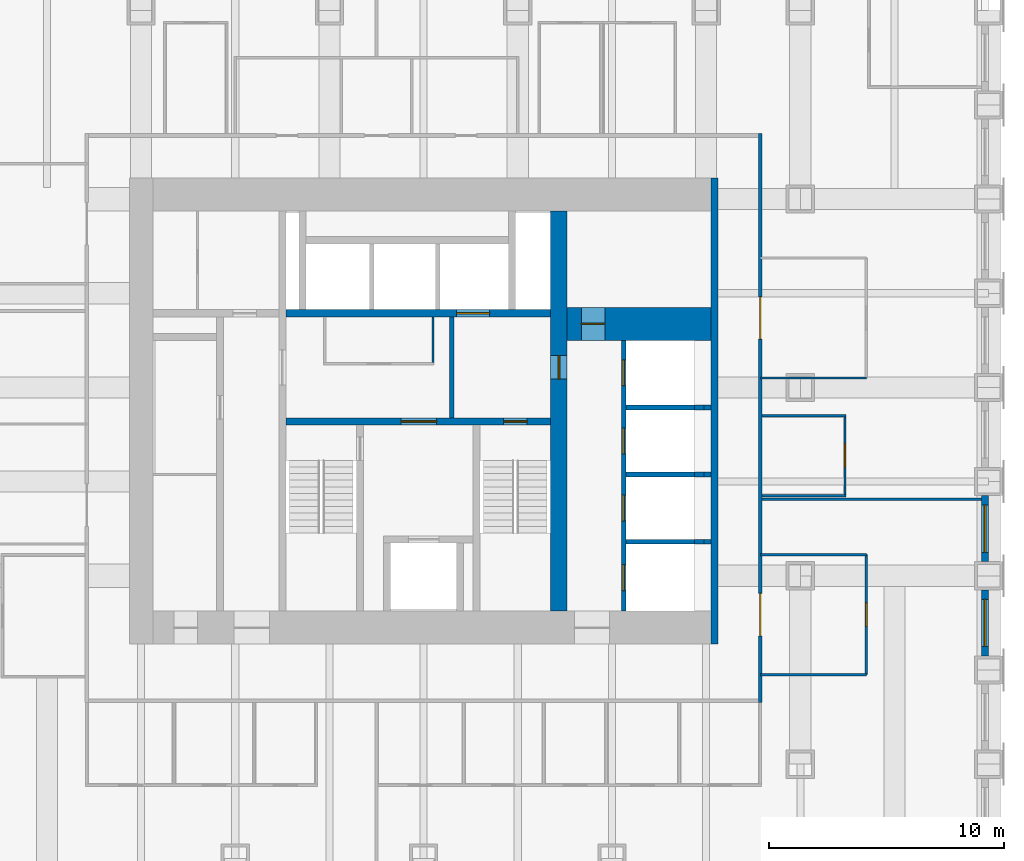
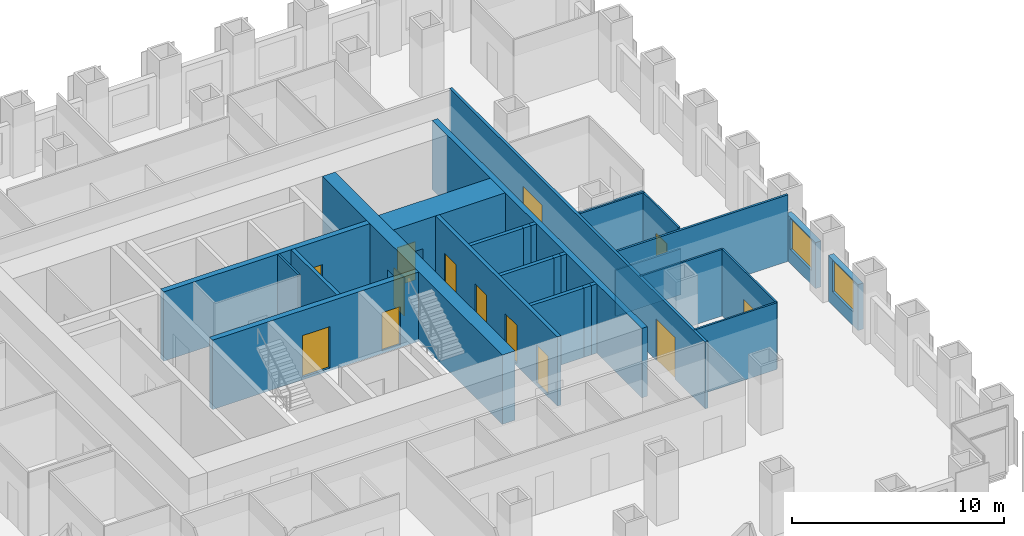
# One storey, part 10 of 15: 28 walls, 13 doors, 2 windows, 15 openings.
"""IFC4 building model written with IfcOpenShell, lengths in metres."""

from ifc_helpers import new_model, si_unit, direction, frame, frame_2d, origin, place, context, subcontext, project, spatial, rectangle, extrude, material, layer, layer_set, type_object, element, fill, save


model = new_model("IFC4")

# Units and contexts
model_context = context("Model", 3, precision=1e-05, world=origin(), true_north=direction((0.0, 1.0)))
body_context = subcontext(model_context, "Body", "Model", "MODEL_VIEW")
ifc_project = project(units=[si_unit("LENGTHUNIT", "METRE"), si_unit("AREAUNIT", "SQUARE_METRE"), si_unit("VOLUMEUNIT", "CUBIC_METRE"), si_unit("PLANEANGLEUNIT", "RADIAN"), si_unit("MASSUNIT", "GRAM", prefix="KILO")], contexts=[model_context])

# Site, building, storey
site_placement = place(None, origin())
site = spatial("IfcSite", under=ifc_project, at=site_placement, CompositionType="ELEMENT")
building_placement = place(site_placement, origin())
building = spatial("IfcBuilding", under=site, at=building_placement, Name="Rimbunsela Tower", CompositionType="ELEMENT")
storey_placement = place(building_placement, frame((0.0, 0.0, 67.0)))
storey = spatial("IfcBuildingStorey", under=building, at=storey_placement, Name="L16", CompositionType="ELEMENT", Elevation=67.0)

# Wall, openings, doors
ifc_material_1 = material(Name="Concrete fc' 80 MPa", Category="concrete")
ifc_layer_1 = layer(ifc_material_1, 0.300048828125)
ifc_layer_set_1 = layer_set([ifc_layer_1], Name="Core internal wall 300")
wall_type_1 = type_object("IfcWallType", Name="Core internal wall 300", PredefinedType="SHEAR", material=ifc_layer_set_1)
wall_1_placement = place(storey_placement, frame((24.14990234375, 26.550048828125, -0.14990234375), z_axis=(0.0, 0.0, 1.0), x_axis=(1.0, 0.0, 0.0)))
wall_1 = element("IfcWall", 1, at=wall_1_placement, inside=storey, type_object=wall_type_1, Name="Core wall lobby south", PredefinedType="SHEAR", context=body_context, shape_type="SweptSolid", body=[
    extrude(rectangle(XDim=11.25, YDim=0.300048828125, at=frame_2d((5.625, 0.0))), origin(), (0.0, 0.0, 1.0), 4.0),
])
opening_1_placement = place(wall_1_placement, frame((9.25, 0.0, 0.14990234375)))
opening_1 = element("IfcOpeningElement", 2, at=opening_1_placement, cuts=wall_1, Name="Opening D01", PredefinedType="OPENING", context=body_context, shape_type="SweptSolid", body=[
    extrude(rectangle(XDim=1.0, YDim=2.199951171875, at=frame_2d((0.5, 1.10009765625))), frame((0.0, 0.159912109375, 0.0), z_axis=(0.0, -1.0, 0.0), x_axis=(1.0, 0.0, 0.0)), (0.0, 0.0, 1.0), 0.320068359375),
])
opening_2_placement = place(wall_1_placement, frame((4.89990234375, 0.0, 0.14990234375)))
opening_2 = element("IfcOpeningElement", 3, at=opening_2_placement, cuts=wall_1, Name="Opening D03", PredefinedType="OPENING", context=body_context, shape_type="SweptSolid", body=[
    extrude(rectangle(XDim=1.5, YDim=2.39990234375, at=frame_2d((0.75, 1.199951171875))), frame((0.0, 0.159912109375, 0.0), z_axis=(0.0, -1.0, 0.0), x_axis=(1.0, 0.0, 0.0)), (0.0, 0.0, 1.0), 0.320068359375),
])
ifc_material_2 = material(Name="Steel door, fire rated", Category="steel")
door_type_1 = type_object("IfcDoorType", Name="Core lobby door 1500", OperationType="DOUBLE_DOOR_DOUBLE_SWING", PredefinedType="DOOR", material=ifc_material_2)
door_1_placement = place(opening_2_placement, origin())
door_1 = element("IfcDoor", 4, at=door_1_placement, inside=storey, type_object=door_type_1, Name="Firefighting lobby door", OperationType="DOUBLE_DOOR_DOUBLE_SWING", OverallHeight=2.39990234375, OverallWidth=1.5, PredefinedType="DOOR", context=body_context, shape_type="SweptSolid", body=[
    extrude(rectangle(XDim=1.5, YDim=2.39990234375, at=frame_2d((0.75, 1.199951171875))), frame((0.0, 0.02490234375, 0.0), z_axis=(0.0, -1.0, 0.0), x_axis=(1.0, 0.0, 0.0)), (0.0, 0.0, 1.0), 0.050048828125),
])
fill(opening_2, door_1)
ifc_material_3 = material(Name="Steel door, fire rated", Category="steel")
door_type_2 = type_object("IfcDoorType", Name="Stair door 1000", OperationType="SINGLE_SWING_RIGHT", PredefinedType="DOOR", material=ifc_material_3)
door_2_placement = place(opening_1_placement, frame((1.0, 0.0, 0.0), z_axis=(0.0, 0.0, 1.0), x_axis=(-1.0, 0.0, 0.0)))
door_2 = element("IfcDoor", 5, at=door_2_placement, inside=storey, type_object=door_type_2, Name="Stair B door", OperationType="SINGLE_SWING_RIGHT", OverallHeight=2.199951171875, OverallWidth=1.0, PredefinedType="DOOR", context=body_context, shape_type="SweptSolid", body=[
    extrude(rectangle(XDim=1.0, YDim=2.199951171875, at=frame_2d((0.5, 1.10009765625))), frame((0.0, 0.02490234375, 0.0), z_axis=(0.0, -1.0, 0.0), x_axis=(1.0, 0.0, 0.0)), (0.0, 0.0, 1.0), 0.050048828125),
])
fill(opening_1, door_2)

# Wall, opening, door
wall_2_placement = place(storey_placement, frame((24.14990234375, 31.14990234375, -0.14990234375), z_axis=(0.0, 0.0, 1.0), x_axis=(1.0, 0.0, 0.0)))
wall_2 = element("IfcWall", 6, at=wall_2_placement, inside=storey, type_object=wall_type_1, Name="Lift shaft front north", PredefinedType="SHEAR", context=body_context, shape_type="SweptSolid", body=[
    extrude(rectangle(XDim=11.25, YDim=0.300048828125, at=frame_2d((5.625, 0.0))), origin(), (0.0, 0.0, 1.0), 4.0),
])
opening_3_placement = place(wall_2_placement, frame((7.25, 0.0, 0.14990234375)))
opening_3 = element("IfcOpeningElement", 7, at=opening_3_placement, cuts=wall_2, Name="Opening LD3", PredefinedType="OPENING", context=body_context, shape_type="SweptSolid", body=[
    extrude(rectangle(XDim=1.39990234375, YDim=2.39990234375, at=frame_2d((0.699951171875, 1.199951171875))), frame((0.0, 0.159912109375, 0.0), z_axis=(0.0, -1.0, 0.0), x_axis=(1.0, 0.0, 0.0)), (0.0, 0.0, 1.0), 0.320068359375),
])
ifc_material_4 = material(Name="Steel door, fire rated", Category="steel")
door_type_3 = type_object("IfcDoorType", Name="Lift landing door 1400", OperationType="DOUBLE_DOOR_SLIDING", PredefinedType="DOOR", material=ifc_material_4)
door_3_placement = place(opening_3_placement, origin())
door_3 = element("IfcDoor", 8, at=door_3_placement, inside=storey, type_object=door_type_3, Name="Lift landing door FL2", OperationType="DOUBLE_DOOR_SLIDING", OverallHeight=2.39990234375, OverallWidth=1.39990234375, PredefinedType="DOOR", context=body_context, shape_type="SweptSolid", body=[
    extrude(rectangle(XDim=1.39990234375, YDim=2.39990234375, at=frame_2d((0.699951171875, 1.199951171875))), frame((0.0, 0.02490234375, 0.0), z_axis=(0.0, -1.0, 0.0), x_axis=(1.0, 0.0, 0.0)), (0.0, 0.0, 1.0), 0.050048828125),
])
fill(opening_3, door_3)

# Wall
ifc_material_5 = material(Name="Concrete blockwork", Category="masonry")
ifc_layer_2 = layer(ifc_material_5, 0.10009765625)
ifc_layer_set_2 = layer_set([ifc_layer_2], Name="Core room partition 100")
wall_type_2 = type_object("IfcWallType", Name="Core room partition 100", PredefinedType="PARTITIONING", material=ifc_layer_set_2)
wall_3_placement = place(storey_placement, frame((30.39990234375, 29.050048828125, 0.0), z_axis=(0.0, 0.0, 1.0), x_axis=(0.0, 1.0, 0.0)))
element("IfcWall", 9, at=wall_3_placement, inside=storey, type_object=wall_type_2, Name="Lobby room wall", PredefinedType="PARTITIONING", context=body_context, shape_type="SweptSolid", body=[
    extrude(rectangle(XDim=1.949951171875, YDim=0.10009765625, at=frame_2d((0.97509765625, 0.0))), origin(), (0.0, 0.0, 1.0), 3.85009765625),
])

# Wall, opening, door
ifc_material_6 = material(Name="Concrete fc' 80 MPa", Category="concrete")
ifc_layer_3 = layer(ifc_material_6, 1.39990234375)
ifc_layer_set_3 = layer_set([ifc_layer_3], Name="Core wall 1400")
wall_type_3 = type_object("IfcWallType", Name="Core wall 1400", PredefinedType="SHEAR", material=ifc_layer_set_3)
wall_4_placement = place(storey_placement, frame((36.10009765625, 30.699951171875, -0.14990234375), z_axis=(0.0, 0.0, 1.0), x_axis=(1.0, 0.0, 0.0)))
wall_4 = element("IfcWall", 10, at=wall_4_placement, inside=storey, type_object=wall_type_3, Name="Lift shaft rear east", PredefinedType="SHEAR", context=body_context, shape_type="SweptSolid", body=[
    extrude(rectangle(XDim=6.099853515625, YDim=1.39990234375, at=frame_2d((3.0498046875, 0.0))), origin(), (0.0, 0.0, 1.0), 4.0),
])
opening_4_placement = place(wall_4_placement, frame((0.60009765625, 0.0, 0.14990234375)))
opening_4 = element("IfcOpeningElement", 11, at=opening_4_placement, cuts=wall_4, Name="Opening D19", PredefinedType="OPENING", context=body_context, shape_type="SweptSolid", body=[
    extrude(rectangle(XDim=1.0, YDim=2.199951171875, at=frame_2d((0.5, 1.10009765625))), frame((0.0, 0.7099609375, 0.0), z_axis=(0.0, -1.0, 0.0), x_axis=(1.0, 0.0, 0.0)), (0.0, 0.0, 1.0), 1.419921875),
])
ifc_material_7 = material(Name="Steel door, fire rated", Category="steel")
door_type_4 = type_object("IfcDoorType", Name="Service door 1000 fire rated", OperationType="SINGLE_SWING_LEFT", PredefinedType="DOOR", material=ifc_material_7)
door_4_placement = place(opening_4_placement, origin())
door_4 = element("IfcDoor", 12, at=door_4_placement, inside=storey, type_object=door_type_4, Name="Communications room door", OperationType="SINGLE_SWING_LEFT", OverallHeight=2.199951171875, OverallWidth=1.0, PredefinedType="DOOR", context=body_context, shape_type="SweptSolid", body=[
    extrude(rectangle(XDim=1.0, YDim=2.199951171875, at=frame_2d((0.5, 1.10009765625))), frame((0.0, 0.02490234375, 0.0), z_axis=(0.0, -1.0, 0.0), x_axis=(1.0, 0.0, 0.0)), (0.0, 0.0, 1.0), 0.050048828125),
])
fill(opening_4, door_4)

# Wall
ifc_material_8 = material(Name="Concrete fc' 80 MPa", Category="concrete")
ifc_layer_4 = layer(ifc_material_8, 0.300048828125)
ifc_layer_set_4 = layer_set([ifc_layer_4], Name="Core wall 300")
wall_type_4 = type_object("IfcWallType", Name="Core wall 300", PredefinedType="SHEAR", material=ifc_layer_set_4)
wall_5_placement = place(storey_placement, frame((42.35009765625, 17.10009765625, -0.14990234375), z_axis=(0.0, 0.0, 1.0), x_axis=(0.0, 1.0, 0.0)))
element("IfcWall", 13, at=wall_5_placement, inside=storey, type_object=wall_type_4, Name="Core wall east", PredefinedType="SHEAR", context=body_context, shape_type="SweptSolid", body=[
    extrude(rectangle(XDim=19.7998046875, YDim=0.300048828125, at=frame_2d((9.89990234375, 0.0))), origin(), (0.0, 0.0, 1.0), 4.0),
])

# Wall, opening, door
ifc_material_9 = material(Name="Concrete fc' 80 MPa", Category="concrete")
ifc_layer_5 = layer(ifc_material_9, 0.699951171875)
ifc_layer_set_5 = layer_set([ifc_layer_5], Name="Core wall 700 east")
wall_type_5 = type_object("IfcWallType", Name="Core wall 700 east", PredefinedType="SHEAR", material=ifc_layer_set_5)
wall_6_placement = place(storey_placement, frame((35.75, 18.5, -0.14990234375), z_axis=(0.0, 0.0, 1.0), x_axis=(0.0, 1.0, 0.0)))
wall_6 = element("IfcWall", 14, at=wall_6_placement, inside=storey, type_object=wall_type_5, Name="Core wall low-rise bank", PredefinedType="SHEAR", context=body_context, shape_type="SweptSolid", body=[
    extrude(rectangle(XDim=17.0, YDim=0.699951171875, at=frame_2d((8.5, 0.0))), origin(), (0.0, 0.0, 1.0), 4.0),
])
opening_5_placement = place(wall_6_placement, frame((9.85009765625, 0.0, 0.14990234375)))
opening_5 = element("IfcOpeningElement", 15, at=opening_5_placement, cuts=wall_6, Name="Opening D01", PredefinedType="OPENING", context=body_context, shape_type="SweptSolid", body=[
    extrude(rectangle(XDim=1.0, YDim=2.199951171875, at=frame_2d((0.5, 1.10009765625))), frame((0.0, 0.35986328125, 0.0), z_axis=(0.0, -1.0, 0.0), x_axis=(1.0, 0.0, 0.0)), (0.0, 0.0, 1.0), 0.719970703125),
])
door_5_placement = place(opening_5_placement, origin())
door_5 = element("IfcDoor", 16, at=door_5_placement, inside=storey, type_object=door_type_2, Name="Firefighting lobby 2 door", OperationType="SINGLE_SWING_RIGHT", OverallHeight=2.199951171875, OverallWidth=1.0, PredefinedType="DOOR", context=body_context, shape_type="SweptSolid", body=[
    extrude(rectangle(XDim=1.0, YDim=2.199951171875, at=frame_2d((0.5, 1.10009765625))), frame((0.0, 0.02490234375, 0.0), z_axis=(0.0, -1.0, 0.0), x_axis=(1.0, 0.0, 0.0)), (0.0, 0.0, 1.0), 0.050048828125),
])
fill(opening_5, door_5)

# Wall, openings, doors
ifc_material_10 = material(Name="Concrete blockwork", Category="masonry")
ifc_layer_6 = layer(ifc_material_10, 0.199951171875)
ifc_layer_set_6 = layer_set([ifc_layer_6], Name="Lift shaft wall 200")
wall_type_6 = type_object("IfcWallType", Name="Lift shaft wall 200", PredefinedType="SOLIDWALL", material=ifc_layer_set_6)
wall_7_placement = place(storey_placement, frame((38.5, 18.5, -0.14990234375), z_axis=(0.0, 0.0, 1.0), x_axis=(0.0, 1.0, 0.0)))
wall_7 = element("IfcWall", 17, at=wall_7_placement, inside=storey, type_object=wall_type_6, Name="Lift shaft front east", PredefinedType="SOLIDWALL", context=body_context, shape_type="SweptSolid", body=[
    extrude(rectangle(XDim=11.5, YDim=0.199951171875, at=frame_2d((5.75, 0.0))), origin(), (0.0, 0.0, 1.0), 4.0),
])
opening_6_placement = place(wall_7_placement, frame((0.875, 0.0, 0.14990234375)))
opening_6 = element("IfcOpeningElement", 18, at=opening_6_placement, cuts=wall_7, Name="Opening LD1", PredefinedType="OPENING", context=body_context, shape_type="SweptSolid", body=[
    extrude(rectangle(XDim=1.10009765625, YDim=2.199951171875, at=frame_2d((0.550048828125, 1.10009765625))), frame((0.0, 0.10986328125, 0.0), z_axis=(0.0, -1.0, 0.0), x_axis=(1.0, 0.0, 0.0)), (0.0, 0.0, 1.0), 0.219970703125),
])
opening_7_placement = place(wall_7_placement, frame((3.824951171875, 0.0, 0.14990234375)))
opening_7 = element("IfcOpeningElement", 19, at=opening_7_placement, cuts=wall_7, Name="Opening LD1", PredefinedType="OPENING", context=body_context, shape_type="SweptSolid", body=[
    extrude(rectangle(XDim=1.10009765625, YDim=2.199951171875, at=frame_2d((0.550048828125, 1.10009765625))), frame((0.0, 0.10986328125, 0.0), z_axis=(0.0, -1.0, 0.0), x_axis=(1.0, 0.0, 0.0)), (0.0, 0.0, 1.0), 0.219970703125),
])
opening_8_placement = place(wall_7_placement, frame((6.675048828125, 0.0, 0.14990234375)))
opening_8 = element("IfcOpeningElement", 20, at=opening_8_placement, cuts=wall_7, Name="Opening LD1", PredefinedType="OPENING", context=body_context, shape_type="SweptSolid", body=[
    extrude(rectangle(XDim=1.10009765625, YDim=2.199951171875, at=frame_2d((0.550048828125, 1.10009765625))), frame((0.0, 0.10986328125, 0.0), z_axis=(0.0, -1.0, 0.0), x_axis=(1.0, 0.0, 0.0)), (0.0, 0.0, 1.0), 0.219970703125),
])
opening_9_placement = place(wall_7_placement, frame((9.574951171875, 0.0, 0.14990234375)))
opening_9 = element("IfcOpeningElement", 21, at=opening_9_placement, cuts=wall_7, Name="Opening LD1", PredefinedType="OPENING", context=body_context, shape_type="SweptSolid", body=[
    extrude(rectangle(XDim=1.10009765625, YDim=2.199951171875, at=frame_2d((0.550048828125, 1.10009765625))), frame((0.0, 0.10986328125, 0.0), z_axis=(0.0, -1.0, 0.0), x_axis=(1.0, 0.0, 0.0)), (0.0, 0.0, 1.0), 0.219970703125),
])
ifc_material_11 = material(Name="Steel door, fire rated", Category="steel")
door_type_5 = type_object("IfcDoorType", Name="Lift landing door 1100", OperationType="DOUBLE_DOOR_SLIDING", PredefinedType="DOOR", material=ifc_material_11)
door_6_placement = place(opening_6_placement, origin())
door_6 = element("IfcDoor", 22, at=door_6_placement, inside=storey, type_object=door_type_5, Name="Lift landing door LL1", OperationType="DOUBLE_DOOR_SLIDING", OverallHeight=2.199951171875, OverallWidth=1.10009765625, PredefinedType="DOOR", context=body_context, shape_type="SweptSolid", body=[
    extrude(rectangle(XDim=1.10009765625, YDim=2.199951171875, at=frame_2d((0.550048828125, 1.10009765625))), frame((0.0, 0.02490234375, 0.0), z_axis=(0.0, -1.0, 0.0), x_axis=(1.0, 0.0, 0.0)), (0.0, 0.0, 1.0), 0.050048828125),
])
fill(opening_6, door_6)
door_7_placement = place(opening_7_placement, origin())
door_7 = element("IfcDoor", 23, at=door_7_placement, inside=storey, type_object=door_type_5, Name="Lift landing door LL2", OperationType="DOUBLE_DOOR_SLIDING", OverallHeight=2.199951171875, OverallWidth=1.10009765625, PredefinedType="DOOR", context=body_context, shape_type="SweptSolid", body=[
    extrude(rectangle(XDim=1.10009765625, YDim=2.199951171875, at=frame_2d((0.550048828125, 1.10009765625))), frame((0.0, 0.02490234375, 0.0), z_axis=(0.0, -1.0, 0.0), x_axis=(1.0, 0.0, 0.0)), (0.0, 0.0, 1.0), 0.050048828125),
])
fill(opening_7, door_7)
door_8_placement = place(opening_8_placement, origin())
door_8 = element("IfcDoor", 24, at=door_8_placement, inside=storey, type_object=door_type_5, Name="Lift landing door LL3", OperationType="DOUBLE_DOOR_SLIDING", OverallHeight=2.199951171875, OverallWidth=1.10009765625, PredefinedType="DOOR", context=body_context, shape_type="SweptSolid", body=[
    extrude(rectangle(XDim=1.10009765625, YDim=2.199951171875, at=frame_2d((0.550048828125, 1.10009765625))), frame((0.0, 0.02490234375, 0.0), z_axis=(0.0, -1.0, 0.0), x_axis=(1.0, 0.0, 0.0)), (0.0, 0.0, 1.0), 0.050048828125),
])
fill(opening_8, door_8)
door_9_placement = place(opening_9_placement, origin())
door_9 = element("IfcDoor", 25, at=door_9_placement, inside=storey, type_object=door_type_5, Name="Lift landing door LL4", OperationType="DOUBLE_DOOR_SLIDING", OverallHeight=2.199951171875, OverallWidth=1.10009765625, PredefinedType="DOOR", context=body_context, shape_type="SweptSolid", body=[
    extrude(rectangle(XDim=1.10009765625, YDim=2.199951171875, at=frame_2d((0.550048828125, 1.10009765625))), frame((0.0, 0.02490234375, 0.0), z_axis=(0.0, -1.0, 0.0), x_axis=(1.0, 0.0, 0.0)), (0.0, 0.0, 1.0), 0.050048828125),
])
fill(opening_9, door_9)

# Walls
wall_8_placement = place(storey_placement, frame((38.60009765625, 21.449951171875, -0.14990234375), z_axis=(0.0, 0.0, 1.0), x_axis=(1.0, 0.0, 0.0)))
element("IfcWall", 26, at=wall_8_placement, inside=storey, type_object=wall_type_6, Name="Lift shaft separation", PredefinedType="SOLIDWALL", context=body_context, shape_type="SweptSolid", body=[
    extrude(rectangle(XDim=2.89990234375, YDim=0.199951171875, at=frame_2d((1.449951171875, 0.0))), origin(), (0.0, 0.0, 1.0), 4.0),
])
wall_9_placement = place(storey_placement, frame((41.5, 21.449951171875, -0.14990234375), z_axis=(0.0, 0.0, 1.0), x_axis=(1.0, 0.0, 0.0)))
element("IfcWall", 27, at=wall_9_placement, inside=storey, type_object=wall_type_6, Name="Lift shaft separation", PredefinedType="SOLIDWALL", context=body_context, shape_type="SweptSolid", body=[
    extrude(rectangle(XDim=0.39990234375, YDim=0.199951171875, at=frame_2d((0.199951171875, 0.0))), origin(), (0.0, 0.0, 1.0), 4.0),
])
wall_10_placement = place(storey_placement, frame((41.89990234375, 21.449951171875, -0.14990234375), z_axis=(0.0, 0.0, 1.0), x_axis=(1.0, 0.0, 0.0)))
element("IfcWall", 28, at=wall_10_placement, inside=storey, type_object=wall_type_6, Name="Lift shaft separation", PredefinedType="SOLIDWALL", context=body_context, shape_type="SweptSolid", body=[
    extrude(rectangle(XDim=0.300048828125, YDim=0.199951171875, at=frame_2d((0.14990234375, 0.0))), origin(), (0.0, 0.0, 1.0), 4.0),
])
wall_11_placement = place(storey_placement, frame((38.60009765625, 24.300048828125, -0.14990234375), z_axis=(0.0, 0.0, 1.0), x_axis=(1.0, 0.0, 0.0)))
element("IfcWall", 29, at=wall_11_placement, inside=storey, type_object=wall_type_6, Name="Lift shaft separation", PredefinedType="SOLIDWALL", context=body_context, shape_type="SweptSolid", body=[
    extrude(rectangle(XDim=2.89990234375, YDim=0.199951171875, at=frame_2d((1.449951171875, 0.0))), origin(), (0.0, 0.0, 1.0), 4.0),
])
wall_12_placement = place(storey_placement, frame((41.5, 24.300048828125, -0.14990234375), z_axis=(0.0, 0.0, 1.0), x_axis=(1.0, 0.0, 0.0)))
element("IfcWall", 30, at=wall_12_placement, inside=storey, type_object=wall_type_6, Name="Lift shaft separation", PredefinedType="SOLIDWALL", context=body_context, shape_type="SweptSolid", body=[
    extrude(rectangle(XDim=0.39990234375, YDim=0.199951171875, at=frame_2d((0.199951171875, 0.0))), origin(), (0.0, 0.0, 1.0), 4.0),
])
wall_13_placement = place(storey_placement, frame((41.89990234375, 24.300048828125, -0.14990234375), z_axis=(0.0, 0.0, 1.0), x_axis=(1.0, 0.0, 0.0)))
element("IfcWall", 31, at=wall_13_placement, inside=storey, type_object=wall_type_6, Name="Lift shaft separation", PredefinedType="SOLIDWALL", context=body_context, shape_type="SweptSolid", body=[
    extrude(rectangle(XDim=0.300048828125, YDim=0.199951171875, at=frame_2d((0.14990234375, 0.0))), origin(), (0.0, 0.0, 1.0), 4.0),
])
wall_14_placement = place(storey_placement, frame((38.60009765625, 27.14990234375, -0.14990234375), z_axis=(0.0, 0.0, 1.0), x_axis=(1.0, 0.0, 0.0)))
element("IfcWall", 32, at=wall_14_placement, inside=storey, type_object=wall_type_6, Name="Lift shaft separation", PredefinedType="SOLIDWALL", context=body_context, shape_type="SweptSolid", body=[
    extrude(rectangle(XDim=2.89990234375, YDim=0.199951171875, at=frame_2d((1.449951171875, 0.0))), origin(), (0.0, 0.0, 1.0), 4.0),
])
wall_15_placement = place(storey_placement, frame((41.5, 27.14990234375, -0.14990234375), z_axis=(0.0, 0.0, 1.0), x_axis=(1.0, 0.0, 0.0)))
element("IfcWall", 33, at=wall_15_placement, inside=storey, type_object=wall_type_6, Name="Lift shaft separation", PredefinedType="SOLIDWALL", context=body_context, shape_type="SweptSolid", body=[
    extrude(rectangle(XDim=0.39990234375, YDim=0.199951171875, at=frame_2d((0.199951171875, 0.0))), origin(), (0.0, 0.0, 1.0), 4.0),
])
wall_16_placement = place(storey_placement, frame((41.89990234375, 27.14990234375, -0.14990234375), z_axis=(0.0, 0.0, 1.0), x_axis=(1.0, 0.0, 0.0)))
element("IfcWall", 34, at=wall_16_placement, inside=storey, type_object=wall_type_6, Name="Lift shaft separation", PredefinedType="SOLIDWALL", context=body_context, shape_type="SweptSolid", body=[
    extrude(rectangle(XDim=0.300048828125, YDim=0.199951171875, at=frame_2d((0.14990234375, 0.0))), origin(), (0.0, 0.0, 1.0), 4.0),
])
wall_17_placement = place(storey_placement, frame((31.199951171875, 26.699951171875, 0.0), z_axis=(0.0, 0.0, 1.0), x_axis=(0.0, 1.0, 0.0)))
element("IfcWall", 35, at=wall_17_placement, inside=storey, type_object=wall_type_6, Name="Firefighting lobby 2 wall", PredefinedType="SOLIDWALL", context=body_context, shape_type="SweptSolid", body=[
    extrude(rectangle(XDim=4.300048828125, YDim=0.199951171875, at=frame_2d((2.14990234375, 0.0))), origin(), (0.0, 0.0, 1.0), 3.85009765625),
])
ifc_material_12 = material(Name="Gypsum board on steel studs", Category="steel")
ifc_layer_7 = layer(ifc_material_12, 0.10009765625)
ifc_layer_set_7 = layer_set([ifc_layer_7], Name="Office partition 100")
wall_type_7 = type_object("IfcWallType", Name="Office partition 100", PredefinedType="PARTITIONING", material=ifc_layer_set_7)
wall_18_placement = place(storey_placement, frame((44.375, 23.39990234375, 0.0), z_axis=(0.0, 0.0, 1.0), x_axis=(1.0, 0.0, 0.0)))
element("IfcWall", 36, at=wall_18_placement, inside=storey, type_object=wall_type_7, Name="Office partition", PredefinedType="PARTITIONING", context=body_context, shape_type="SweptSolid", body=[
    extrude(rectangle(XDim=3.574951171875, YDim=0.10009765625, at=frame_2d((1.78759765625, 0.0))), origin(), (0.0, 0.0, 1.0), 2.64990234375),
])
wall_19_placement = place(storey_placement, frame((44.375, 26.800048828125, 0.0), z_axis=(0.0, 0.0, 1.0), x_axis=(1.0, 0.0, 0.0)))
element("IfcWall", 37, at=wall_19_placement, inside=storey, type_object=wall_type_7, Name="Office partition", PredefinedType="PARTITIONING", context=body_context, shape_type="SweptSolid", body=[
    extrude(rectangle(XDim=3.574951171875, YDim=0.10009765625, at=frame_2d((1.78759765625, 0.0))), origin(), (0.0, 0.0, 1.0), 3.85009765625),
])

# Wall, opening, door
wall_20_placement = place(storey_placement, frame((47.89990234375, 23.449951171875, 0.0), z_axis=(0.0, 0.0, 1.0), x_axis=(0.0, 1.0, 0.0)))
wall_20 = element("IfcWall", 38, at=wall_20_placement, inside=storey, type_object=wall_type_7, Name="Office partition", PredefinedType="PARTITIONING", context=body_context, shape_type="SweptSolid", body=[
    extrude(rectangle(XDim=3.300048828125, YDim=0.10009765625, at=frame_2d((1.64990234375, 0.0))), origin(), (0.0, 0.0, 1.0), 3.85009765625),
])
opening_10_placement = place(wall_20_placement, frame((1.14990234375, 0.0, 0.0)))
opening_10 = element("IfcOpeningElement", 39, at=opening_10_placement, cuts=wall_20, Name="Opening D16", PredefinedType="OPENING", context=body_context, shape_type="SweptSolid", body=[
    extrude(rectangle(XDim=1.0, YDim=2.199951171875, at=frame_2d((0.5, 1.10009765625))), frame((0.0, 0.06005859375, 0.0), z_axis=(0.0, -1.0, 0.0), x_axis=(1.0, 0.0, 0.0)), (0.0, 0.0, 1.0), 0.1201171875),
])
ifc_material_13 = material(Name="Timber door", Category="wood")
door_type_6 = type_object("IfcDoorType", Name="Office door 1000", OperationType="SINGLE_SWING_LEFT", PredefinedType="DOOR", material=ifc_material_13)
door_10_placement = place(opening_10_placement, origin())
door_10 = element("IfcDoor", 40, at=door_10_placement, inside=storey, type_object=door_type_6, Name="Office door", OperationType="SINGLE_SWING_LEFT", OverallHeight=2.199951171875, OverallWidth=1.0, PredefinedType="DOOR", context=body_context, shape_type="SweptSolid", body=[
    extrude(rectangle(XDim=1.0, YDim=2.199951171875, at=frame_2d((0.5, 1.10009765625))), frame((0.0, 0.02490234375, 0.0), z_axis=(0.0, -1.0, 0.0), x_axis=(1.0, 0.0, 0.0)), (0.0, 0.0, 1.0), 0.050048828125),
])
fill(opening_10, door_10)

# Wall
wall_21_placement = place(storey_placement, frame((44.300048828125, 15.800048828125, 0.0), z_axis=(0.0, 0.0, 1.0), x_axis=(1.0, 0.0, 0.0)))
element("IfcWall", 41, at=wall_21_placement, inside=storey, type_object=wall_type_7, Name="Office partition", PredefinedType="PARTITIONING", context=body_context, shape_type="SweptSolid", body=[
    extrude(rectangle(XDim=4.5, YDim=0.10009765625, at=frame_2d((2.25, 0.0))), origin(), (0.0, 0.0, 1.0), 3.85009765625),
])

# Wall, opening, door
wall_22_placement = place(storey_placement, frame((48.800048828125, 15.800048828125, 0.0), z_axis=(0.0, 0.0, 1.0), x_axis=(0.0, 1.0, 0.0)))
wall_22 = element("IfcWall", 42, at=wall_22_placement, inside=storey, type_object=wall_type_7, Name="Office partition", PredefinedType="PARTITIONING", context=body_context, shape_type="SweptSolid", body=[
    extrude(rectangle(XDim=5.099853515625, YDim=0.10009765625, at=frame_2d((2.5498046875, 0.0))), origin(), (0.0, 0.0, 1.0), 3.85009765625),
])
opening_11_placement = place(wall_22_placement, frame((2.050048828125, 0.0, 0.0)))
opening_11 = element("IfcOpeningElement", 43, at=opening_11_placement, cuts=wall_22, Name="Opening D17", PredefinedType="OPENING", context=body_context, shape_type="SweptSolid", body=[
    extrude(rectangle(XDim=1.0, YDim=2.199951171875, at=frame_2d((0.5, 1.10009765625))), frame((0.0, 0.06005859375, 0.0), z_axis=(0.0, -1.0, 0.0), x_axis=(1.0, 0.0, 0.0)), (0.0, 0.0, 1.0), 0.1201171875),
])
ifc_material_14 = material(Name="Glazed aluminium door", Category="aluminium")
door_type_7 = type_object("IfcDoorType", Name="Meeting room door 1000 glazed", OperationType="SINGLE_SWING_RIGHT", PredefinedType="DOOR", material=ifc_material_14)
door_11_placement = place(opening_11_placement, origin())
door_11 = element("IfcDoor", 44, at=door_11_placement, inside=storey, type_object=door_type_7, Name="Reception door", OperationType="SINGLE_SWING_RIGHT", OverallHeight=2.199951171875, OverallWidth=1.0, PredefinedType="DOOR", context=body_context, shape_type="SweptSolid", body=[
    extrude(rectangle(XDim=1.0, YDim=2.199951171875, at=frame_2d((0.5, 1.10009765625))), frame((0.0, 0.02490234375, 0.0), z_axis=(0.0, -1.0, 0.0), x_axis=(1.0, 0.0, 0.0)), (0.0, 0.0, 1.0), 0.050048828125),
])
fill(opening_11, door_11)

# Walls
wall_23_placement = place(storey_placement, frame((48.800048828125, 20.89990234375, 0.0), z_axis=(0.0, 0.0, 1.0), x_axis=(-1.0, 0.0, 0.0)))
element("IfcWall", 45, at=wall_23_placement, inside=storey, type_object=wall_type_7, Name="Office partition", PredefinedType="PARTITIONING", context=body_context, shape_type="SweptSolid", body=[
    extrude(rectangle(XDim=4.5, YDim=0.10009765625, at=frame_2d((2.25, 0.0))), origin(), (0.0, 0.0, 1.0), 3.85009765625),
])
wall_24_placement = place(storey_placement, frame((44.300048828125, 28.39990234375, 0.0), z_axis=(0.0, 0.0, 1.0), x_axis=(1.0, 0.0, 0.0)))
element("IfcWall", 46, at=wall_24_placement, inside=storey, type_object=wall_type_7, Name="Office partition", PredefinedType="PARTITIONING", context=body_context, shape_type="SweptSolid", body=[
    extrude(rectangle(XDim=4.5, YDim=0.10009765625, at=frame_2d((2.25, 0.0))), origin(), (0.0, 0.0, 1.0), 2.64990234375),
])

# Wall, opening, window
ifc_material_15 = material(Name="Precast concrete fc' 35 MPa", Category="concrete")
ifc_layer_8 = layer(ifc_material_15, 0.300048828125)
ifc_layer_set_8 = layer_set([ifc_layer_8], Name="Precast concrete fc' 35 MPa")
wall_type_8 = type_object("IfcWallType", Name="Precast facade panel 300", PredefinedType="ELEMENTEDWALL", material=ifc_layer_set_8)
wall_25_placement = place(storey_placement, frame((53.85009765625, 16.60009765625, 0.0), z_axis=(0.0, 0.0, 1.0), x_axis=(0.0, 1.0, 0.0)))
wall_25 = element("IfcWall", 47, at=wall_25_placement, inside=storey, type_object=wall_type_8, Name="Facade panel E L16", PredefinedType="ELEMENTEDWALL", context=body_context, shape_type="SweptSolid", body=[
    extrude(rectangle(XDim=2.7998046875, YDim=0.300048828125, at=frame_2d((1.39990234375, 0.0))), origin(), (0.0, 0.0, 1.0), 2.64990234375),
])
opening_12_placement = place(wall_25_placement, frame((0.39990234375, 0.0, 0.800048828125)))
opening_12 = element("IfcOpeningElement", 48, at=opening_12_placement, cuts=wall_25, Name="Opening W7", PredefinedType="OPENING", context=body_context, shape_type="SweptSolid", body=[
    extrude(rectangle(XDim=2.0, YDim=1.800048828125, at=frame_2d((1.0, 0.89990234375))), frame((0.0, 0.159912109375, 0.0), z_axis=(0.0, -1.0, 0.0), x_axis=(1.0, 0.0, 0.0)), (0.0, 0.0, 1.0), 0.320068359375),
])
ifc_material_16 = material(Name="Clear glass in aluminium frame", Category="aluminium")
window_type = type_object("IfcWindowType", Name="Window W7 2000x1800", PartitioningType="DOUBLE_PANEL_VERTICAL", PredefinedType="WINDOW", material=ifc_material_16)
window_1_placement = place(opening_12_placement, origin())
window_1 = element("IfcWindow", 49, at=window_1_placement, inside=storey, type_object=window_type, Name="Window L16", OverallHeight=1.800048828125, OverallWidth=2.0, PartitioningType="SINGLE_PANEL", PredefinedType="WINDOW", context=body_context, shape_type="SweptSolid", body=[
    extrude(rectangle(XDim=2.0, YDim=1.800048828125, at=frame_2d((1.0, 0.89990234375))), frame((0.0, 0.030029296875, 0.0), z_axis=(0.0, -1.0, 0.0), x_axis=(1.0, 0.0, 0.0)), (0.0, 0.0, 1.0), 0.06005859375),
])
fill(opening_12, window_1)

wall_26_placement = place(storey_placement, frame((53.85009765625, 20.60009765625, 0.0), z_axis=(0.0, 0.0, 1.0), x_axis=(0.0, 1.0, 0.0)))
wall_26 = element("IfcWall", 50, at=wall_26_placement, inside=storey, type_object=wall_type_8, Name="Facade panel E L16", PredefinedType="ELEMENTEDWALL", context=body_context, shape_type="SweptSolid", body=[
    extrude(rectangle(XDim=2.7998046875, YDim=0.300048828125, at=frame_2d((1.39990234375, 0.0))), origin(), (0.0, 0.0, 1.0), 2.64990234375),
])
opening_13_placement = place(wall_26_placement, frame((0.39990234375, 0.0, 0.800048828125)))
opening_13 = element("IfcOpeningElement", 51, at=opening_13_placement, cuts=wall_26, Name="Opening W7", PredefinedType="OPENING", context=body_context, shape_type="SweptSolid", body=[
    extrude(rectangle(XDim=2.0, YDim=1.800048828125, at=frame_2d((1.0, 0.89990234375))), frame((0.0, 0.159912109375, 0.0), z_axis=(0.0, -1.0, 0.0), x_axis=(1.0, 0.0, 0.0)), (0.0, 0.0, 1.0), 0.320068359375),
])
window_2_placement = place(opening_13_placement, origin())
window_2 = element("IfcWindow", 52, at=window_2_placement, inside=storey, type_object=window_type, Name="Window L16", OverallHeight=1.800048828125, OverallWidth=2.0, PartitioningType="SINGLE_PANEL", PredefinedType="WINDOW", context=body_context, shape_type="SweptSolid", body=[
    extrude(rectangle(XDim=2.0, YDim=1.800048828125, at=frame_2d((1.0, 0.89990234375))), frame((0.0, 0.030029296875, 0.0), z_axis=(0.0, -1.0, 0.0), x_axis=(1.0, 0.0, 0.0)), (0.0, 0.0, 1.0), 0.06005859375),
])
fill(opening_13, window_2)

# Wall, openings, doors
ifc_material_17 = material(Name="Fire-rated gypsum board on steel studs, EI 60", Category="steel")
ifc_layer_9 = layer(ifc_material_17, 0.14990234375)
ifc_layer_set_9 = layer_set([ifc_layer_9], Name="Rated corridor wall 150")
wall_type_9 = type_object("IfcWallType", Name="Rated corridor wall 150", PredefinedType="PARTITIONING", material=ifc_layer_set_9)
wall_27_placement = place(storey_placement, frame((44.300048828125, 14.625, 0.0), z_axis=(0.0, 0.0, 1.0), x_axis=(0.0, 1.0, 0.0)))
wall_27 = element("IfcWall", 53, at=wall_27_placement, inside=storey, type_object=wall_type_9, Name="Corridor wall east", PredefinedType="PARTITIONING", context=body_context, shape_type="SweptSolid", body=[
    extrude(rectangle(XDim=24.14990234375, YDim=0.14990234375, at=frame_2d((12.074951171875, 0.0))), origin(), (0.0, 0.0, 1.0), 3.85009765625),
])
opening_14_placement = place(wall_27_placement, frame((2.824951171875, 0.0, 0.0)))
opening_14 = element("IfcOpeningElement", 54, at=opening_14_placement, cuts=wall_27, Name="Opening D09", PredefinedType="OPENING", context=body_context, shape_type="SweptSolid", body=[
    extrude(rectangle(XDim=1.800048828125, YDim=2.39990234375, at=frame_2d((0.89990234375, 1.199951171875))), frame((0.0, 0.0849609375, 0.0), z_axis=(0.0, -1.0, 0.0), x_axis=(1.0, 0.0, 0.0)), (0.0, 0.0, 1.0), 0.169921875),
])
opening_15_placement = place(wall_27_placement, frame((15.425048828125, 0.0, 0.0)))
opening_15 = element("IfcOpeningElement", 55, at=opening_15_placement, cuts=wall_27, Name="Opening D09", PredefinedType="OPENING", context=body_context, shape_type="SweptSolid", body=[
    extrude(rectangle(XDim=1.800048828125, YDim=2.39990234375, at=frame_2d((0.89990234375, 1.199951171875))), frame((0.0, 0.0849609375, 0.0), z_axis=(0.0, -1.0, 0.0), x_axis=(1.0, 0.0, 0.0)), (0.0, 0.0, 1.0), 0.169921875),
])
ifc_material_18 = material(Name="Glazed aluminium door, fire rated", Category="aluminium")
door_type_8 = type_object("IfcDoorType", Name="Tenancy door 1800 glazed", OperationType="DOUBLE_DOOR_DOUBLE_SWING", PredefinedType="DOOR", material=ifc_material_18)
door_12_placement = place(opening_14_placement, origin())
door_12 = element("IfcDoor", 56, at=door_12_placement, inside=storey, type_object=door_type_8, Name="Tenancy door", OperationType="DOUBLE_DOOR_DOUBLE_SWING", OverallHeight=2.39990234375, OverallWidth=1.800048828125, PredefinedType="DOOR", context=body_context, shape_type="SweptSolid", body=[
    extrude(rectangle(XDim=1.800048828125, YDim=2.39990234375, at=frame_2d((0.89990234375, 1.199951171875))), frame((0.0, 0.02490234375, 0.0), z_axis=(0.0, -1.0, 0.0), x_axis=(1.0, 0.0, 0.0)), (0.0, 0.0, 1.0), 0.050048828125),
])
fill(opening_14, door_12)
door_13_placement = place(opening_15_placement, origin())
door_13 = element("IfcDoor", 57, at=door_13_placement, inside=storey, type_object=door_type_8, Name="Tenancy door", OperationType="DOUBLE_DOOR_DOUBLE_SWING", OverallHeight=2.39990234375, OverallWidth=1.800048828125, PredefinedType="DOOR", context=body_context, shape_type="SweptSolid", body=[
    extrude(rectangle(XDim=1.800048828125, YDim=2.39990234375, at=frame_2d((0.89990234375, 1.199951171875))), frame((0.0, 0.02490234375, 0.0), z_axis=(0.0, -1.0, 0.0), x_axis=(1.0, 0.0, 0.0)), (0.0, 0.0, 1.0), 0.050048828125),
])
fill(opening_15, door_13)

# Wall
ifc_material_19 = material(Name="Gypsum board on steel studs", Category="steel")
ifc_layer_10 = layer(ifc_material_19, 0.1201171875)
ifc_layer_set_10 = layer_set([ifc_layer_10], Name="Tenancy partition 120")
wall_type_10 = type_object("IfcWallType", Name="Tenancy partition 120", PredefinedType="PARTITIONING", material=ifc_layer_set_10)
wall_28_placement = place(storey_placement, frame((44.375, 23.25, 0.0), z_axis=(0.0, 0.0, 1.0), x_axis=(1.0, 0.0, 0.0)))
element("IfcWall", 58, at=wall_28_placement, inside=storey, type_object=wall_type_10, Name="Tenancy partition", PredefinedType="PARTITIONING", context=body_context, shape_type="SweptSolid", body=[
    extrude(rectangle(XDim=9.324951171875, YDim=0.1201171875, at=frame_2d((4.66259765625, 0.0))), origin(), (0.0, 0.0, 1.0), 3.85009765625),
])

save(model, "model.ifc")
